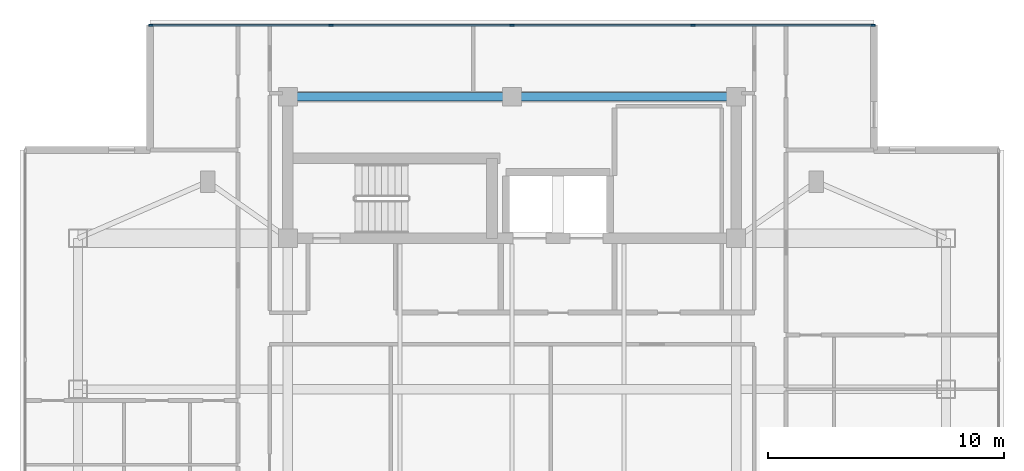
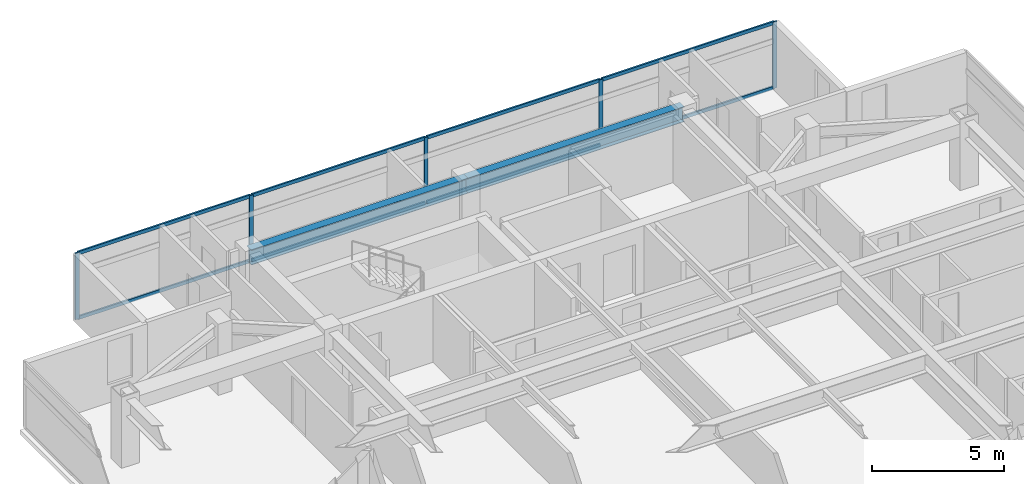
# One storey, part 5 of 12: 13 members, 2 beams, 1 element without a shape of its own.
"""IFC4 building model written with IfcOpenShell, lengths in metres."""

from ifc_helpers import new_model, si_unit, direction, frame, origin, origin_2d, place, context, subcontext, project, spatial, rectangle, i_section, extrude, material, material_profile, profile_set, type_object, element, aggregate, save


model = new_model("IFC4")

# Units and contexts
model_context = context("Model", 3, precision=1e-05, world=origin(), true_north=direction((0.0, 1.0)))
body_context = subcontext(model_context, "Body", "Model", "MODEL_VIEW")
ifc_project = project(units=[si_unit("LENGTHUNIT", "METRE"), si_unit("AREAUNIT", "SQUARE_METRE"), si_unit("VOLUMEUNIT", "CUBIC_METRE"), si_unit("PLANEANGLEUNIT", "RADIAN"), si_unit("MASSUNIT", "GRAM", prefix="KILO")], contexts=[model_context])

# Site, building, storey
site_placement = place(None, origin())
site = spatial("IfcSite", under=ifc_project, at=site_placement, CompositionType="ELEMENT")
building_placement = place(site_placement, origin())
building = spatial("IfcBuilding", under=site, at=building_placement, Name="Mirazonda Arch Towers", CompositionType="ELEMENT")
storey_placement = place(building_placement, frame((0.0, 0.0, 226.0)))
storey = spatial("IfcBuildingStorey", under=building, at=storey_placement, Name="L64", CompositionType="ELEMENT", Elevation=226.0)

# Beams
ifc_material_1 = material(Name="Steel ASTM A992 Grade 50", Category="steel")
ifc_material_profile_1 = material_profile(ifc_material_1, i_section(OverallWidth=0.35498046875, OverallDepth=0.696044921875, WebThickness=0.015380859375, FlangeThickness=0.02490234375, at=origin_2d()), Name="W27X146")
ifc_profile_set_1 = profile_set([ifc_material_profile_1], Name="Steel ASTM A992 Grade 50")
beam_type = type_object("IfcBeamType", Name="BM-INT-W27X146", PredefinedType="BEAM", material=ifc_profile_set_1)
for number, where, z_axis, x_axis, name in (
    (1, (11.0, 43.60009765625, 2.751953125), (1.0, 0.0, 0.0), (0.0, 1.0, 0.0), "L64 Floor Beam BM-T1-L64-CN1"),
    (2, (20.5, 43.60009765625, 2.751953125), (1.0, 0.0, 0.0), (0.0, 1.0, 0.0), "L64 Floor Beam BM-T1-L64-CN2"),
):
    element("IfcBeam", number, at=place(storey_placement, frame(where, z_axis=z_axis, x_axis=x_axis)), inside=storey, type_object=beam_type, Name=name, PredefinedType="BEAM", context=body_context, shape_type="SweptSolid", body=[
        extrude(i_section(OverallWidth=0.35498046875, OverallDepth=0.696044921875, WebThickness=0.015380859375, FlangeThickness=0.02490234375, at=origin_2d()), origin(), (0.0, 0.0, 1.0), 9.5),
    ])

# Curtain wall, members
ifc_material_2 = material(Name="Anodised Aluminium and Low-E Glass", Category="aluminium")
curtain_wall_type = type_object("IfcCurtainWallType", Name="CW-RES-UNIT", PredefinedType="NOTDEFINED", material=ifc_material_2)
curtain_wall_placement = place(storey_placement, origin())
curtain_wall = element("IfcCurtainWall", 3, at=curtain_wall_placement, inside=storey, type_object=curtain_wall_type, Name="L64 T1 N Facade CW-L64-T1-N", PredefinedType="NOTDEFINED")
ifc_material_3 = material(Name="Anodised Aluminium Alloy", Category="aluminium")
ifc_material_profile_2 = material_profile(ifc_material_3, rectangle(XDim=0.074951171875, YDim=0.175048828125, at=origin_2d()), Name="ALU-MULL-75x175")
ifc_profile_set_2 = profile_set([ifc_material_profile_2], Name="Anodised Aluminium Alloy")
member_type_1 = type_object("IfcMemberType", Name="MULL-CW-RES-UNIT", PredefinedType="MULLION", material=ifc_profile_set_2)
member_1_placement = place(storey_placement, frame((5.1875, 46.635986328125, 0.0), z_axis=(0.0, 0.0, 1.0), x_axis=(0.0, 1.0, 0.0)))
member_1 = element("IfcMember", 4, at=member_1_placement, type_object=member_type_1, Name="CW-104 mullion 1", PredefinedType="MULLION", context=body_context, shape_type="SweptSolid", body=[
    extrude(rectangle(XDim=0.074951171875, YDim=0.175048828125, at=origin_2d()), origin(), (0.0, 0.0, 1.0), 3.080078125),
])
member_2_placement = place(storey_placement, frame((12.824951171875, 46.635986328125, 0.0), z_axis=(0.0, 0.0, 1.0), x_axis=(0.0, 1.0, 0.0)))
member_2 = element("IfcMember", 5, at=member_2_placement, type_object=member_type_1, Name="CW-104 mullion 2", PredefinedType="MULLION", context=body_context, shape_type="SweptSolid", body=[
    extrude(rectangle(XDim=0.074951171875, YDim=0.175048828125, at=origin_2d()), origin(), (0.0, 0.0, 1.0), 3.080078125),
])
member_3_placement = place(storey_placement, frame((20.5, 46.635986328125, 0.0), z_axis=(0.0, 0.0, 1.0), x_axis=(0.0, 1.0, 0.0)))
member_3 = element("IfcMember", 6, at=member_3_placement, type_object=member_type_1, Name="CW-104 mullion 3", PredefinedType="MULLION", context=body_context, shape_type="SweptSolid", body=[
    extrude(rectangle(XDim=0.074951171875, YDim=0.175048828125, at=origin_2d()), origin(), (0.0, 0.0, 1.0), 3.080078125),
])
member_4_placement = place(storey_placement, frame((28.175048828125, 46.635986328125, 0.0), z_axis=(0.0, 0.0, 1.0), x_axis=(0.0, 1.0, 0.0)))
member_4 = element("IfcMember", 7, at=member_4_placement, type_object=member_type_1, Name="CW-104 mullion 4", PredefinedType="MULLION", context=body_context, shape_type="SweptSolid", body=[
    extrude(rectangle(XDim=0.074951171875, YDim=0.175048828125, at=origin_2d()), origin(), (0.0, 0.0, 1.0), 3.080078125),
])
member_5_placement = place(storey_placement, frame((35.8125, 46.635986328125, 0.0), z_axis=(0.0, 0.0, 1.0), x_axis=(0.0, 1.0, 0.0)))
member_5 = element("IfcMember", 8, at=member_5_placement, type_object=member_type_1, Name="CW-104 mullion 5", PredefinedType="MULLION", context=body_context, shape_type="SweptSolid", body=[
    extrude(rectangle(XDim=0.074951171875, YDim=0.175048828125, at=origin_2d()), origin(), (0.0, 0.0, 1.0), 3.080078125),
])
ifc_material_profile_3 = material_profile(ifc_material_3, rectangle(XDim=0.074951171875, YDim=0.155029296875, at=origin_2d()), Name="ALU-TRAN-75x155")
ifc_profile_set_3 = profile_set([ifc_material_profile_3], Name="Anodised Aluminium Alloy")
member_type_2 = type_object("IfcMemberType", Name="TRAN-CW-RES-UNIT", PredefinedType="USERDEFINED", material=ifc_profile_set_3)
member_6_placement = place(storey_placement, frame((5.22509765625, 46.635986328125, 0.03759765625), z_axis=(1.0, 0.0, 0.0), x_axis=(0.0, 1.0, 0.0)))
member_6 = element("IfcMember", 9, at=member_6_placement, type_object=member_type_2, Name="CW-104 transom 1.1", ObjectType="TRANSOM", PredefinedType="USERDEFINED", context=body_context, shape_type="SweptSolid", body=[
    extrude(rectangle(XDim=0.074951171875, YDim=0.155029296875, at=origin_2d()), origin(), (0.0, 0.0, 1.0), 7.5625),
])
member_7_placement = place(storey_placement, frame((5.22509765625, 46.635986328125, 3.04248046875), z_axis=(1.0, 0.0, 0.0), x_axis=(0.0, 1.0, 0.0)))
member_7 = element("IfcMember", 10, at=member_7_placement, type_object=member_type_2, Name="CW-104 transom 1.2", ObjectType="TRANSOM", PredefinedType="USERDEFINED", context=body_context, shape_type="SweptSolid", body=[
    extrude(rectangle(XDim=0.074951171875, YDim=0.155029296875, at=origin_2d()), origin(), (0.0, 0.0, 1.0), 7.5625),
])
member_8_placement = place(storey_placement, frame((12.862548828125, 46.635986328125, 0.03759765625), z_axis=(1.0, 0.0, 0.0), x_axis=(0.0, 1.0, 0.0)))
member_8 = element("IfcMember", 11, at=member_8_placement, type_object=member_type_2, Name="CW-104 transom 2.1", ObjectType="TRANSOM", PredefinedType="USERDEFINED", context=body_context, shape_type="SweptSolid", body=[
    extrude(rectangle(XDim=0.074951171875, YDim=0.155029296875, at=origin_2d()), origin(), (0.0, 0.0, 1.0), 7.599853515625),
])
member_9_placement = place(storey_placement, frame((12.862548828125, 46.635986328125, 3.04248046875), z_axis=(1.0, 0.0, 0.0), x_axis=(0.0, 1.0, 0.0)))
member_9 = element("IfcMember", 12, at=member_9_placement, type_object=member_type_2, Name="CW-104 transom 2.2", ObjectType="TRANSOM", PredefinedType="USERDEFINED", context=body_context, shape_type="SweptSolid", body=[
    extrude(rectangle(XDim=0.074951171875, YDim=0.155029296875, at=origin_2d()), origin(), (0.0, 0.0, 1.0), 7.599853515625),
])
member_10_placement = place(storey_placement, frame((20.53759765625, 46.635986328125, 0.03759765625), z_axis=(1.0, 0.0, 0.0), x_axis=(0.0, 1.0, 0.0)))
member_10 = element("IfcMember", 13, at=member_10_placement, type_object=member_type_2, Name="CW-104 transom 3.1", ObjectType="TRANSOM", PredefinedType="USERDEFINED", context=body_context, shape_type="SweptSolid", body=[
    extrude(rectangle(XDim=0.074951171875, YDim=0.155029296875, at=origin_2d()), origin(), (0.0, 0.0, 1.0), 7.599853515625),
])
member_11_placement = place(storey_placement, frame((20.53759765625, 46.635986328125, 3.04248046875), z_axis=(1.0, 0.0, 0.0), x_axis=(0.0, 1.0, 0.0)))
member_11 = element("IfcMember", 14, at=member_11_placement, type_object=member_type_2, Name="CW-104 transom 3.2", ObjectType="TRANSOM", PredefinedType="USERDEFINED", context=body_context, shape_type="SweptSolid", body=[
    extrude(rectangle(XDim=0.074951171875, YDim=0.155029296875, at=origin_2d()), origin(), (0.0, 0.0, 1.0), 7.599853515625),
])
member_12_placement = place(storey_placement, frame((28.21240234375, 46.635986328125, 0.03759765625), z_axis=(1.0, 0.0, 0.0), x_axis=(0.0, 1.0, 0.0)))
member_12 = element("IfcMember", 15, at=member_12_placement, type_object=member_type_2, Name="CW-104 transom 4.1", ObjectType="TRANSOM", PredefinedType="USERDEFINED", context=body_context, shape_type="SweptSolid", body=[
    extrude(rectangle(XDim=0.074951171875, YDim=0.155029296875, at=origin_2d()), origin(), (0.0, 0.0, 1.0), 7.5625),
])
member_13_placement = place(storey_placement, frame((28.21240234375, 46.635986328125, 3.04248046875), z_axis=(1.0, 0.0, 0.0), x_axis=(0.0, 1.0, 0.0)))
member_13 = element("IfcMember", 16, at=member_13_placement, type_object=member_type_2, Name="CW-104 transom 4.2", ObjectType="TRANSOM", PredefinedType="USERDEFINED", context=body_context, shape_type="SweptSolid", body=[
    extrude(rectangle(XDim=0.074951171875, YDim=0.155029296875, at=origin_2d()), origin(), (0.0, 0.0, 1.0), 7.5625),
])
aggregate(curtain_wall, [member_1, member_2, member_3, member_4, member_5, member_6, member_7, member_8, member_9, member_10, member_11, member_12, member_13])

save(model, "model.ifc")
